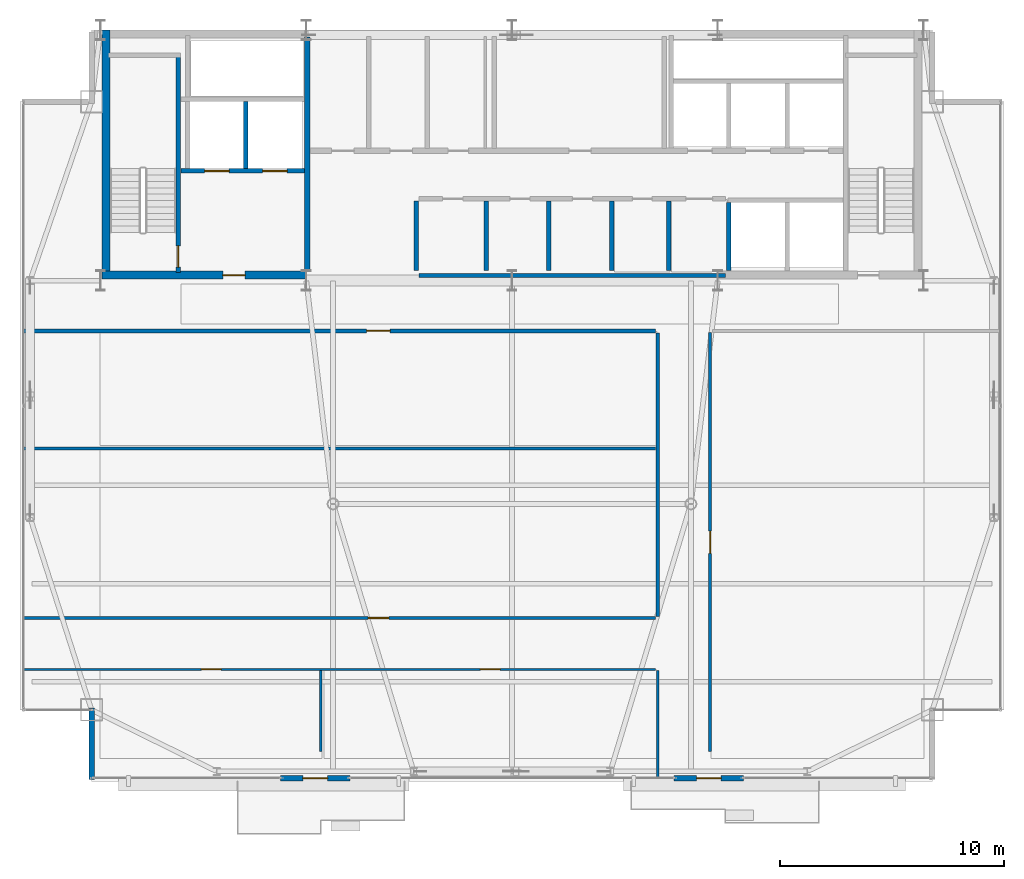
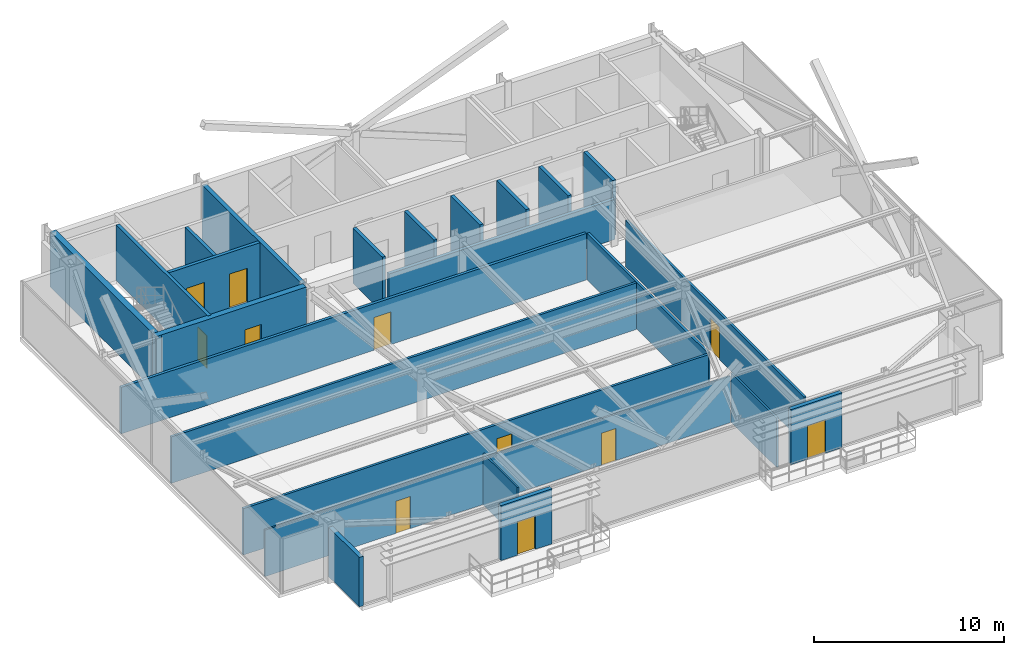
# One storey, part 21 of 25: 24 walls, 11 doors, 11 openings.
"""IFC4 building model written with IfcOpenShell, lengths in metres."""

from ifc_helpers import new_model, si_unit, direction, frame, frame_2d, origin, place, context, subcontext, project, spatial, rectangle, extrude, source, transform, mapped, material, layer, layer_set, type_object, type_shapes, element, fill, save


model = new_model("IFC4")

# Units and contexts
model_context = context("Model", 3, precision=1e-05, world=origin(), true_north=direction((0.0, 1.0)))
body_context = subcontext(model_context, "Body", "Model", "MODEL_VIEW")
ifc_project = project(units=[si_unit("LENGTHUNIT", "METRE"), si_unit("AREAUNIT", "SQUARE_METRE"), si_unit("VOLUMEUNIT", "CUBIC_METRE"), si_unit("PLANEANGLEUNIT", "RADIAN"), si_unit("MASSUNIT", "GRAM", prefix="KILO")], contexts=[model_context])

# Site, building, storey
site_placement = place(None, origin())
site = spatial("IfcSite", under=ifc_project, at=site_placement, CompositionType="ELEMENT")
building_placement = place(site_placement, origin())
building = spatial("IfcBuilding", under=site, at=building_placement, Name="Varnel Quay Broadcast Tower", CompositionType="ELEMENT")
storey_placement = place(building_placement, frame((0.0, 0.0, 288.800048828125)))
storey = spatial("IfcBuildingStorey", under=building, at=storey_placement, Name="L72", CompositionType="ELEMENT", Elevation=288.800048828125)

# Wall, opening, door
ifc_material_1 = material(Name="Concrete CSA A23.3 C50/60", Category="concrete")
ifc_layer_1 = layer(ifc_material_1, 0.199951171875, Name="Concrete CSA A23.3 C50/60")
ifc_layer_set_1 = layer_set([ifc_layer_1], Name="Concrete CSA A23.3 C50/60")
wall_type_1 = type_object("IfcWallType", Name="Wall_CoreShaftShear200", PredefinedType="SHEAR", material=ifc_layer_set_1)
wall_1_placement = place(storey_placement, frame((19.080078125, 35.949951171875, 0.0), z_axis=(0.0, 0.0, 1.0), x_axis=(0.0, 1.0, 0.0)))
wall_1 = element("IfcWall", 1, at=wall_1_placement, inside=storey, type_object=wall_type_1, Name="L72 Stair 1 East Structural Wall", PredefinedType="SHEAR", context=body_context, shape_type="SweptSolid", body=[
    extrude(rectangle(XDim=9.650146484375, YDim=0.199951171875, at=frame_2d((4.8251953125, 0.0))), origin(), (0.0, 0.0, 1.0), 3.550048828125),
])
opening_1_placement = place(wall_1_placement, frame((0.25, 0.0, 0.0)))
opening_1 = element("IfcOpeningElement", 2, at=opening_1_placement, cuts=wall_1, Name="Opening D-L72-S1", PredefinedType="OPENING", context=body_context, shape_type="SweptSolid", body=[
    extrude(rectangle(XDim=0.949951171875, YDim=2.10009765625, at=frame_2d((0.47509765625, 1.050048828125))), frame((0.0, 0.10986328125, 0.0), z_axis=(0.0, -1.0, 0.0), x_axis=(1.0, 0.0, 0.0)), (0.0, 0.0, 1.0), 0.219970703125),
])
ifc_material_2 = material(Name="Insulated Fire-Rated Hollow Steel Door", Category="steel")
door_type_1 = type_object("IfcDoorType", Name="Door_FireStair950", OperationType="NOTDEFINED", PredefinedType="DOOR", material=ifc_material_2)
shared_shape_1 = source(origin(), body_context, "Body", "SweptSolid", [
    extrude(rectangle(XDim=0.949951171875, YDim=2.10009765625, at=frame_2d((0.47509765625, 1.050048828125))), frame((0.0, 0.02490234375, 0.0), z_axis=(0.0, -1.0, 0.0), x_axis=(1.0, 0.0, 0.0)), (0.0, 0.0, 1.0), 0.050048828125),
])
type_shapes(door_type_1, [shared_shape_1])
door_1_placement = place(opening_1_placement, origin())
door_1 = element("IfcDoor", 3, at=door_1_placement, inside=storey, type_object=door_type_1, Name="L72 Stair 1 Fire Door", OperationType="SINGLE_SWING_RIGHT", OverallHeight=2.10009765625, OverallWidth=0.949951171875, PredefinedType="DOOR", context=body_context, shape_type="MappedRepresentation", body=[
    mapped(shared_shape_1, transform((0.0, 0.0, 0.0), x_axis=(1.0, 0.0, 0.0), y_axis=(0.0, 1.0, 0.0), z_axis=(0.0, 0.0, 1.0), scale=1.0)),
])
fill(opening_1, door_1)

# Wall, openings, doors
wall_2_placement = place(storey_placement, frame((19.199951171875, 40.5, 0.0), z_axis=(0.0, 0.0, 1.0), x_axis=(1.0, 0.0, 0.0)))
wall_2 = element("IfcWall", 4, at=wall_2_placement, inside=storey, type_object=wall_type_1, Name="L72 Firefighter Lift Shaft Front Wall", PredefinedType="SHEAR", context=body_context, shape_type="SweptSolid", body=[
    extrude(rectangle(XDim=5.52001953125, YDim=0.199951171875, at=frame_2d((2.760009765625, 0.0))), origin(), (0.0, 0.0, 1.0), 3.550048828125),
])
opening_2_placement = place(wall_2_placement, frame((1.050048828125, 0.0, 0.0)))
opening_2 = element("IfcOpeningElement", 5, at=opening_2_placement, cuts=wall_2, Name="Opening LD-L72-FE1", PredefinedType="OPENING", context=body_context, shape_type="SweptSolid", body=[
    extrude(rectangle(XDim=1.10009765625, YDim=2.179931640625, at=frame_2d((0.550048828125, 1.08984375))), frame((0.0, 0.10986328125, 0.0), z_axis=(0.0, -1.0, 0.0), x_axis=(1.0, 0.0, 0.0)), (0.0, 0.0, 1.0), 0.219970703125),
])
opening_3_placement = place(wall_2_placement, frame((3.64990234375, 0.0, 0.0)))
opening_3 = element("IfcOpeningElement", 6, at=opening_3_placement, cuts=wall_2, Name="Opening LD-L72-FE2", PredefinedType="OPENING", context=body_context, shape_type="SweptSolid", body=[
    extrude(rectangle(XDim=1.10009765625, YDim=2.179931640625, at=frame_2d((0.550048828125, 1.08984375))), frame((0.0, 0.10986328125, 0.0), z_axis=(0.0, -1.0, 0.0), x_axis=(1.0, 0.0, 0.0)), (0.0, 0.0, 1.0), 0.219970703125),
])
ifc_material_3 = material(Name="Brushed Bronze-Stainless Lift Car & Sliding Doors", Category="steel")
door_type_2 = type_object("IfcDoorType", Name="Door_LiftLanding1100", OperationType="SLIDING_TO_LEFT", PredefinedType="DOOR", material=ifc_material_3)
shared_shape_2 = source(origin(), body_context, "Body", "SweptSolid", [
    extrude(rectangle(XDim=1.10009765625, YDim=2.179931640625, at=frame_2d((0.550048828125, 1.08984375))), frame((0.0, 0.02490234375, 0.0), z_axis=(0.0, -1.0, 0.0), x_axis=(1.0, 0.0, 0.0)), (0.0, 0.0, 1.0), 0.050048828125),
])
type_shapes(door_type_2, [shared_shape_2])
door_2_placement = place(opening_2_placement, frame((1.10009765625, 0.0, 0.0), z_axis=(0.0, 0.0, 1.0), x_axis=(-1.0, 0.0, 0.0)))
door_2 = element("IfcDoor", 7, at=door_2_placement, inside=storey, type_object=door_type_2, Name="L72 Firefighter Lift FE-01 Landing Door", OperationType="SLIDING_TO_LEFT", OverallHeight=2.179931640625, OverallWidth=1.10009765625, PredefinedType="DOOR", context=body_context, shape_type="MappedRepresentation", body=[
    mapped(shared_shape_2, transform((0.0, 0.0, 0.0), x_axis=(1.0, 0.0, 0.0), y_axis=(0.0, 1.0, 0.0), z_axis=(0.0, 0.0, 1.0), scale=1.0)),
])
fill(opening_2, door_2)
door_3_placement = place(opening_3_placement, frame((1.10009765625, 0.0, 0.0), z_axis=(0.0, 0.0, 1.0), x_axis=(-1.0, 0.0, 0.0)))
door_3 = element("IfcDoor", 8, at=door_3_placement, inside=storey, type_object=door_type_2, Name="L72 Firefighter Lift FE-02 Landing Door", OperationType="SLIDING_TO_RIGHT", OverallHeight=2.179931640625, OverallWidth=1.10009765625, PredefinedType="DOOR", context=body_context, shape_type="MappedRepresentation", body=[
    mapped(shared_shape_2, transform((0.0, 0.0, 0.0), x_axis=(1.0, 0.0, 0.0), y_axis=(0.0, 1.0, 0.0), z_axis=(0.0, 0.0, 1.0), scale=1.0)),
])
fill(opening_3, door_3)

# Walls
wall_3_placement = place(storey_placement, frame((22.10009765625, 40.60009765625, 0.0), z_axis=(0.0, 0.0, 1.0), x_axis=(0.0, 1.0, 0.0)))
element("IfcWall", 9, at=wall_3_placement, inside=storey, type_object=wall_type_1, Name="L72 Firefighter Lift Shaft Divider", PredefinedType="SHEAR", context=body_context, shape_type="SweptSolid", body=[
    extrude(rectangle(XDim=3.0, YDim=0.199951171875, at=frame_2d((1.5, 0.0))), origin(), (0.0, 0.0, 1.0), 3.550048828125),
])
wall_4_placement = place(storey_placement, frame((43.699951171875, 36.050048828125, 0.0), z_axis=(0.0, 0.0, 1.0), x_axis=(0.0, 1.0, 0.0)))
element("IfcWall", 10, at=wall_4_placement, inside=storey, type_object=wall_type_1, Name="L72 Express Lift Shaft West Wall", PredefinedType="SHEAR", context=body_context, shape_type="SweptSolid", body=[
    extrude(rectangle(XDim=3.050048828125, YDim=0.199951171875, at=frame_2d((1.52490234375, 0.0))), origin(), (0.0, 0.0, 1.0), 3.550048828125),
])
ifc_layer_2 = layer(ifc_material_1, 0.25, Name="Concrete CSA A23.3 C50/60")
ifc_layer_set_2 = layer_set([ifc_layer_2], Name="Concrete CSA A23.3 C50/60")
wall_type_2 = type_object("IfcWallType", Name="Wall_CoreShaftShear250", PredefinedType="SHEAR", material=ifc_layer_set_2)
wall_5_placement = place(storey_placement, frame((24.85009765625, 36.050048828125, 0.0), z_axis=(0.0, 0.0, 1.0), x_axis=(0.0, 1.0, 0.0)))
element("IfcWall", 11, at=wall_5_placement, inside=storey, type_object=wall_type_2, Name="L72 Firefighting Lobby East Structural Wall", PredefinedType="SHEAR", context=body_context, shape_type="SweptSolid", body=[
    extrude(rectangle(XDim=10.449951171875, YDim=0.25, at=frame_2d((5.22509765625, 0.0))), origin(), (0.0, 0.0, 1.0), 3.550048828125),
])
ifc_layer_3 = layer(ifc_material_1, 0.35009765625, Name="Concrete CSA A23.3 C50/60")
ifc_layer_set_3 = layer_set([ifc_layer_3], Name="Concrete CSA A23.3 C50/60")
wall_type_3 = type_object("IfcWallType", Name="Wall_CoreShearInt350", PredefinedType="SHEAR", material=ifc_layer_set_3)
wall_6_placement = place(storey_placement, frame((15.844970703125, 35.669921875, 0.0), z_axis=(0.0, 0.0, 1.0), x_axis=(0.0, 1.0, 0.0)))
element("IfcWall", 12, at=wall_6_placement, inside=storey, type_object=wall_type_3, Name="L72 West Core Shear Wall", PredefinedType="SHEAR", context=body_context, shape_type="SweptSolid", body=[
    extrude(rectangle(XDim=11.130126953125, YDim=0.35009765625, at=frame_2d((5.56494140625, 0.0))), origin(), (0.0, 0.0, 1.0), 3.550048828125),
])

# Wall, opening, door
wall_7_placement = place(storey_placement, frame((15.669921875, 35.844970703125, 0.0), z_axis=(0.0, 0.0, 1.0), x_axis=(1.0, 0.0, 0.0)))
wall_7 = element("IfcWall", 13, at=wall_7_placement, inside=storey, type_object=wall_type_3, Name="L72 South-West Core Shear Wall", PredefinedType="SHEAR", context=body_context, shape_type="SweptSolid", body=[
    extrude(rectangle(XDim=9.130126953125, YDim=0.35009765625, at=frame_2d((4.56494140625, 0.0))), origin(), (0.0, 0.0, 1.0), 3.550048828125),
])
opening_4_placement = place(wall_7_placement, frame((5.39990234375, 0.0, 0.0)))
opening_4 = element("IfcOpeningElement", 14, at=opening_4_placement, cuts=wall_7, Name="Opening D-L72-FFL", PredefinedType="OPENING", context=body_context, shape_type="SweptSolid", body=[
    extrude(rectangle(XDim=1.0, YDim=2.10009765625, at=frame_2d((0.5, 1.050048828125))), frame((0.0, 0.18505859375, 0.0), z_axis=(0.0, -1.0, 0.0), x_axis=(1.0, 0.0, 0.0)), (0.0, 0.0, 1.0), 0.3701171875),
])
door_type_3 = type_object("IfcDoorType", Name="Door_FireLobby1000", OperationType="NOTDEFINED", PredefinedType="DOOR", material=ifc_material_2)
shared_shape_3 = source(origin(), body_context, "Body", "SweptSolid", [
    extrude(rectangle(XDim=1.0, YDim=2.10009765625, at=frame_2d((0.5, 1.050048828125))), frame((0.0, 0.02490234375, 0.0), z_axis=(0.0, -1.0, 0.0), x_axis=(1.0, 0.0, 0.0)), (0.0, 0.0, 1.0), 0.050048828125),
])
type_shapes(door_type_3, [shared_shape_3])
door_4_placement = place(opening_4_placement, origin())
door_4 = element("IfcDoor", 15, at=door_4_placement, inside=storey, type_object=door_type_3, Name="L72 Firefighting Lobby Door", OperationType="SINGLE_SWING_LEFT", OverallHeight=2.10009765625, OverallWidth=1.0, PredefinedType="DOOR", context=body_context, shape_type="MappedRepresentation", body=[
    mapped(shared_shape_3, transform((0.0, 0.0, 0.0), x_axis=(1.0, 0.0, 0.0), y_axis=(0.0, 1.0, 0.0), z_axis=(0.0, 0.0, 1.0), scale=1.0)),
])
fill(opening_4, door_4)

ifc_material_4 = material(Name="Precast Architectural Concrete C40/50", Category="concrete")
ifc_layer_4 = layer(ifc_material_4, 0.25, Name="Precast Architectural Concrete C40/50")
ifc_layer_set_4 = layer_set([ifc_layer_4], Name="Precast Architectural Concrete C40/50")
wall_type_4 = type_object("IfcWallType", Name="Wall_ExtTerrace250", PredefinedType="SOLIDWALL", material=ifc_layer_set_4)
wall_8_placement = place(storey_placement, frame((23.64990234375, 13.35009765625, 0.0), z_axis=(0.0, 0.0, 1.0), x_axis=(1.0, 0.0, 0.0)))
wall_8 = element("IfcWall", 16, at=wall_8_placement, inside=storey, type_object=wall_type_4, Name="L72 Terrace Access Wall 1", PredefinedType="SOLIDWALL", context=body_context, shape_type="SweptSolid", body=[
    extrude(rectangle(XDim=3.10009765625, YDim=0.25, at=frame_2d((1.550048828125, 0.0))), origin(), (0.0, 0.0, 1.0), 3.530029296875),
])
opening_5_placement = place(wall_8_placement, frame((1.0, 0.0, 0.0)))
opening_5 = element("IfcOpeningElement", 17, at=opening_5_placement, cuts=wall_8, Name="Opening TD-721", PredefinedType="OPENING", context=body_context, shape_type="SweptSolid", body=[
    extrude(rectangle(XDim=1.10009765625, YDim=2.14990234375, at=frame_2d((0.550048828125, 1.074951171875))), frame((0.0, 0.135009765625, 0.0), z_axis=(0.0, -1.0, 0.0), x_axis=(1.0, 0.0, 0.0)), (0.0, 0.0, 1.0), 0.27001953125),
])
ifc_material_5 = material(Name="Anodised Bronze Aluminium 6063-T6", Category="aluminium")
door_type_4 = type_object("IfcDoorType", Name="Door_ExtTerrace1100", OperationType="NOTDEFINED", PredefinedType="DOOR", material=ifc_material_5)
shared_shape_4 = source(origin(), body_context, "Body", "SweptSolid", [
    extrude(rectangle(XDim=1.10009765625, YDim=2.14990234375, at=frame_2d((0.550048828125, 1.074951171875))), frame((0.0, 0.02490234375, 0.0), z_axis=(0.0, -1.0, 0.0), x_axis=(1.0, 0.0, 0.0)), (0.0, 0.0, 1.0), 0.050048828125),
])
type_shapes(door_type_4, [shared_shape_4])
door_5_placement = place(opening_5_placement, frame((1.10009765625, 0.0, 0.0), z_axis=(0.0, 0.0, 1.0), x_axis=(-1.0, 0.0, 0.0)))
door_5 = element("IfcDoor", 18, at=door_5_placement, inside=storey, type_object=door_type_4, Name="L72 Terrace Door TD-721", OperationType="SINGLE_SWING_LEFT", OverallHeight=2.14990234375, OverallWidth=1.10009765625, PredefinedType="DOOR", context=body_context, shape_type="MappedRepresentation", body=[
    mapped(shared_shape_4, transform((0.0, 0.0, 0.0), x_axis=(1.0, 0.0, 0.0), y_axis=(0.0, 1.0, 0.0), z_axis=(0.0, 0.0, 1.0), scale=1.0)),
])
fill(opening_5, door_5)

wall_9_placement = place(storey_placement, frame((41.25, 13.35009765625, 0.0), z_axis=(0.0, 0.0, 1.0), x_axis=(1.0, 0.0, 0.0)))
wall_9 = element("IfcWall", 19, at=wall_9_placement, inside=storey, type_object=wall_type_4, Name="L72 Terrace Access Wall 2", PredefinedType="SOLIDWALL", context=body_context, shape_type="SweptSolid", body=[
    extrude(rectangle(XDim=3.10009765625, YDim=0.25, at=frame_2d((1.550048828125, 0.0))), origin(), (0.0, 0.0, 1.0), 3.530029296875),
])
opening_6_placement = place(wall_9_placement, frame((1.0, 0.0, 0.0)))
opening_6 = element("IfcOpeningElement", 20, at=opening_6_placement, cuts=wall_9, Name="Opening TD-722", PredefinedType="OPENING", context=body_context, shape_type="SweptSolid", body=[
    extrude(rectangle(XDim=1.10009765625, YDim=2.14990234375, at=frame_2d((0.550048828125, 1.074951171875))), frame((0.0, 0.135009765625, 0.0), z_axis=(0.0, -1.0, 0.0), x_axis=(1.0, 0.0, 0.0)), (0.0, 0.0, 1.0), 0.27001953125),
])
door_6_placement = place(opening_6_placement, frame((1.10009765625, 0.0, 0.0), z_axis=(0.0, 0.0, 1.0), x_axis=(-1.0, 0.0, 0.0)))
door_6 = element("IfcDoor", 21, at=door_6_placement, inside=storey, type_object=door_type_4, Name="L72 Terrace Door TD-722", OperationType="SINGLE_SWING_RIGHT", OverallHeight=2.14990234375, OverallWidth=1.10009765625, PredefinedType="DOOR", context=body_context, shape_type="MappedRepresentation", body=[
    mapped(shared_shape_4, transform((0.0, 0.0, 0.0), x_axis=(1.0, 0.0, 0.0), y_axis=(0.0, 1.0, 0.0), z_axis=(0.0, 0.0, 1.0), scale=1.0)),
])
fill(opening_6, door_6)

# Walls
wall_10_placement = place(storey_placement, frame((15.199951171875, 13.280029296875, 0.0), z_axis=(0.0, 0.0, 1.0), x_axis=(0.0, 1.0, 0.0)))
element("IfcWall", 22, at=wall_10_placement, inside=storey, type_object=wall_type_4, Name="L72 Mega-Column Notch Cladding Wall NSW2", PredefinedType="SOLIDWALL", context=body_context, shape_type="SweptSolid", body=[
    extrude(rectangle(XDim=3.199951171875, YDim=0.25, at=frame_2d((1.60009765625, 0.0))), origin(), (0.0, 0.0, 1.0), 3.1708984375),
])
ifc_material_6 = material(Name="Concrete Blockwork Fire Enclosure C40/50", Category="masonry")
ifc_layer_5 = layer(ifc_material_6, 0.199951171875, Name="Concrete Blockwork Fire Enclosure C40/50")
ifc_layer_set_5 = layer_set([ifc_layer_5], Name="Concrete Blockwork Fire Enclosure C40/50")
wall_type_5 = type_object("IfcWallType", Name="Wall_FireShaft200", PredefinedType="SOLIDWALL", material=ifc_layer_set_5)
wall_11_placement = place(storey_placement, frame((29.85009765625, 35.824951171875, 0.0), z_axis=(0.0, 0.0, 1.0), x_axis=(1.0, 0.0, 0.0)))
element("IfcWall", 23, at=wall_11_placement, inside=storey, type_object=wall_type_5, Name="L72 Accessible Washroom Partition 1", PredefinedType="SOLIDWALL", context=body_context, shape_type="SweptSolid", body=[
    extrude(rectangle(XDim=13.699951171875, YDim=0.199951171875, at=frame_2d((6.85009765625, 0.0))), origin(), (0.0, 0.0, 1.0), 2.574951171875),
])
wall_12_placement = place(storey_placement, frame((41.0, 36.050048828125, 0.0), z_axis=(0.0, 0.0, 1.0), x_axis=(0.0, 1.0, 0.0)))
element("IfcWall", 24, at=wall_12_placement, inside=storey, type_object=wall_type_5, Name="L72 Cleaners' & Linen Store Partition 7", PredefinedType="SOLIDWALL", context=body_context, shape_type="SweptSolid", body=[
    extrude(rectangle(XDim=3.099853515625, YDim=0.199951171875, at=frame_2d((1.5498046875, 0.0))), origin(), (0.0, 0.0, 1.0), 3.530029296875),
])
ifc_material_7 = material(Name="Steel-Stud Fire-Rated Acoustic Gypsum Partition Assembly", Category="steel")
ifc_layer_6 = layer(ifc_material_7, 0.10498046875, Name="Steel-Stud Fire-Rated Acoustic Gypsum Partition Assembly")
ifc_layer_set_6 = layer_set([ifc_layer_6], Name="Steel-Stud Fire-Rated Acoustic Gypsum Partition Assembly")
wall_type_6 = type_object("IfcWallType", Name="Wall_Partition105", PredefinedType="PARTITIONING", material=ifc_layer_set_6)
wall_13_placement = place(storey_placement, frame((25.449951171875, 14.550048828125, 0.0), z_axis=(0.0, 0.0, 1.0), x_axis=(0.0, 1.0, 0.0)))
element("IfcWall", 25, at=wall_13_placement, inside=storey, type_object=wall_type_6, Name="L72 Lens & Rigging Store 1 Partition 8", PredefinedType="PARTITIONING", context=body_context, shape_type="SweptSolid", body=[
    extrude(rectangle(XDim=3.60791015625, YDim=0.10498046875, at=frame_2d((1.803955078125, 0.0))), origin(), (0.0, 0.0, 1.0), 3.27783203125),
])

# Wall, openings, doors
wall_14_placement = place(storey_placement, frame((12.179931640625, 18.2099609375, 0.0), z_axis=(0.0, 0.0, 1.0), x_axis=(1.0, 0.0, 0.0)))
wall_14 = element("IfcWall", 26, at=wall_14_placement, inside=storey, type_object=wall_type_6, Name="L72 Lens & Rigging Store 1 Partition 9", PredefinedType="PARTITIONING", context=body_context, shape_type="SweptSolid", body=[
    extrude(rectangle(XDim=28.22998046875, YDim=0.10498046875, at=frame_2d((14.114990234375, 0.0))), origin(), (0.0, 0.0, 1.0), 2.98095703125),
])
opening_7_placement = place(wall_14_placement, frame((7.929931640625, 0.0, 0.0)))
opening_7 = element("IfcOpeningElement", 27, at=opening_7_placement, cuts=wall_14, Name="Opening D-L72-06", PredefinedType="OPENING", context=body_context, shape_type="SweptSolid", body=[
    extrude(rectangle(XDim=0.8798828125, YDim=2.06005859375, at=frame_2d((0.43994140625, 1.030029296875))), frame((0.0, 0.0625, 0.0), z_axis=(0.0, -1.0, 0.0), x_axis=(1.0, 0.0, 0.0)), (0.0, 0.0, 1.0), 0.125),
])
opening_8_placement = place(wall_14_placement, frame((20.409912109375, 0.0, 0.0)))
opening_8 = element("IfcOpeningElement", 28, at=opening_8_placement, cuts=wall_14, Name="Opening D-L72-07", PredefinedType="OPENING", context=body_context, shape_type="SweptSolid", body=[
    extrude(rectangle(XDim=0.8798828125, YDim=2.06005859375, at=frame_2d((0.43994140625, 1.030029296875))), frame((0.0, 0.0625, 0.0), z_axis=(0.0, -1.0, 0.0), x_axis=(1.0, 0.0, 0.0)), (0.0, 0.0, 1.0), 0.125),
])
ifc_material_8 = material(Name="Solid-Core Fire-Rated Acoustic Oak Veneer Door", Category="wood")
door_type_5 = type_object("IfcDoorType", Name="Door_Booth880", OperationType="NOTDEFINED", PredefinedType="DOOR", material=ifc_material_8)
shared_shape_5 = source(origin(), body_context, "Body", "SweptSolid", [
    extrude(rectangle(XDim=0.8798828125, YDim=2.06005859375, at=frame_2d((0.43994140625, 1.030029296875))), frame((0.0, 0.02490234375, 0.0), z_axis=(0.0, -1.0, 0.0), x_axis=(1.0, 0.0, 0.0)), (0.0, 0.0, 1.0), 0.050048828125),
])
type_shapes(door_type_5, [shared_shape_5])
door_7_placement = place(opening_7_placement, frame((0.8798828125, 0.0, 0.0), z_axis=(0.0, 0.0, 1.0), x_axis=(-1.0, 0.0, 0.0)))
door_7 = element("IfcDoor", 29, at=door_7_placement, inside=storey, type_object=door_type_5, Name="L72 Lens & Rigging Store 1 Door D-L72-06", OperationType="SINGLE_SWING_RIGHT", OverallHeight=2.06005859375, OverallWidth=0.8798828125, PredefinedType="DOOR", context=body_context, shape_type="MappedRepresentation", body=[
    mapped(shared_shape_5, transform((0.0, 0.0, 0.0), x_axis=(1.0, 0.0, 0.0), y_axis=(0.0, 1.0, 0.0), z_axis=(0.0, 0.0, 1.0), scale=1.0)),
])
fill(opening_7, door_7)
door_8_placement = place(opening_8_placement, frame((0.8798828125, 0.0, 0.0), z_axis=(0.0, 0.0, 1.0), x_axis=(-1.0, 0.0, 0.0)))
door_8 = element("IfcDoor", 30, at=door_8_placement, inside=storey, type_object=door_type_5, Name="L72 Ingest Vault Store 2 Door D-L72-07", OperationType="SINGLE_SWING_LEFT", OverallHeight=2.06005859375, OverallWidth=0.8798828125, PredefinedType="DOOR", context=body_context, shape_type="MappedRepresentation", body=[
    mapped(shared_shape_5, transform((0.0, 0.0, 0.0), x_axis=(1.0, 0.0, 0.0), y_axis=(0.0, 1.0, 0.0), z_axis=(0.0, 0.0, 1.0), scale=1.0)),
])
fill(opening_8, door_8)

# Wall
wall_15_placement = place(storey_placement, frame((40.510009765625, 13.3798828125, 0.0), z_axis=(0.0, 0.0, 1.0), x_axis=(0.0, 1.0, 0.0)))
element("IfcWall", 31, at=wall_15_placement, inside=storey, type_object=wall_type_6, Name="L72 Ingest Vault Store 2 Partition 10", PredefinedType="PARTITIONING", context=body_context, shape_type="SweptSolid", body=[
    extrude(rectangle(XDim=4.778076171875, YDim=0.10498046875, at=frame_2d((2.38916015625, 0.0))), origin(), (0.0, 0.0, 1.0), 3.1708984375),
])

# Wall, opening, door
ifc_layer_7 = layer(ifc_material_7, 0.139892578125, Name="Steel-Stud Fire-Rated Acoustic Gypsum Partition Assembly")
ifc_layer_set_7 = layer_set([ifc_layer_7], Name="Steel-Stud Fire-Rated Acoustic Gypsum Partition Assembly")
wall_type_7 = type_object("IfcWallType", Name="Wall_Partition140", PredefinedType="PARTITIONING", material=ifc_layer_set_7)
wall_16_placement = place(storey_placement, frame((42.860107421875, 14.550048828125, 0.0), z_axis=(0.0, 0.0, 1.0), x_axis=(0.0, 1.0, 0.0)))
wall_16 = element("IfcWall", 32, at=wall_16_placement, inside=storey, type_object=wall_type_7, Name="L72 Producer Lounge 5 Partition 16", PredefinedType="PARTITIONING", context=body_context, shape_type="SweptSolid", body=[
    extrude(rectangle(XDim=18.72998046875, YDim=0.139892578125, at=frame_2d((9.364990234375, 0.0))), origin(), (0.0, 0.0, 1.0), 2.98095703125),
])
opening_9_placement = place(wall_16_placement, frame((8.85009765625, 0.0, 0.0)))
opening_9 = element("IfcOpeningElement", 33, at=opening_9_placement, cuts=wall_16, Name="Opening D-L72-10", PredefinedType="OPENING", context=body_context, shape_type="SweptSolid", body=[
    extrude(rectangle(XDim=1.0, YDim=2.10009765625, at=frame_2d((0.5, 1.050048828125))), frame((0.0, 0.080078125, 0.0), z_axis=(0.0, -1.0, 0.0), x_axis=(1.0, 0.0, 0.0)), (0.0, 0.0, 1.0), 0.159912109375),
])
door_type_6 = type_object("IfcDoorType", Name="Door_Exec1000", OperationType="NOTDEFINED", PredefinedType="DOOR", material=ifc_material_8)
shared_shape_6 = source(origin(), body_context, "Body", "SweptSolid", [
    extrude(rectangle(XDim=1.0, YDim=2.10009765625, at=frame_2d((0.5, 1.050048828125))), frame((0.0, 0.02490234375, 0.0), z_axis=(0.0, -1.0, 0.0), x_axis=(1.0, 0.0, 0.0)), (0.0, 0.0, 1.0), 0.050048828125),
])
type_shapes(door_type_6, [shared_shape_6])
door_9_placement = place(opening_9_placement, frame((1.0, 0.0, 0.0), z_axis=(0.0, 0.0, 1.0), x_axis=(-1.0, 0.0, 0.0)))
door_9 = element("IfcDoor", 34, at=door_9_placement, inside=storey, type_object=door_type_6, Name="L72 Producer Lounge 5 Door D-L72-10", OperationType="SINGLE_SWING_RIGHT", OverallHeight=2.10009765625, OverallWidth=1.0, PredefinedType="DOOR", context=body_context, shape_type="MappedRepresentation", body=[
    mapped(shared_shape_6, transform((0.0, 0.0, 0.0), x_axis=(1.0, 0.0, 0.0), y_axis=(0.0, 1.0, 0.0), z_axis=(0.0, 0.0, 1.0), scale=1.0)),
])
fill(opening_9, door_9)

ifc_layer_8 = layer(ifc_material_7, 0.14990234375, Name="Steel-Stud Fire-Rated Acoustic Gypsum Partition Assembly")
ifc_layer_set_8 = layer_set([ifc_layer_8], Name="Steel-Stud Fire-Rated Acoustic Gypsum Partition Assembly")
wall_type_8 = type_object("IfcWallType", Name="Wall_Partition150", PredefinedType="PARTITIONING", material=ifc_layer_set_8)
wall_17_placement = place(storey_placement, frame((12.179931640625, 20.510009765625, 0.0), z_axis=(0.0, 0.0, 1.0), x_axis=(1.0, 0.0, 0.0)))
wall_17 = element("IfcWall", 35, at=wall_17_placement, inside=storey, type_object=wall_type_8, Name="L72 Color Timing Suite 3 Partition 11", PredefinedType="PARTITIONING", context=body_context, shape_type="SweptSolid", body=[
    extrude(rectangle(XDim=28.22998046875, YDim=0.14990234375, at=frame_2d((14.114990234375, 0.0))), origin(), (0.0, 0.0, 1.0), 2.98095703125),
])
opening_10_placement = place(wall_17_placement, frame((15.389892578125, 0.0, 0.0)))
opening_10 = element("IfcOpeningElement", 36, at=opening_10_placement, cuts=wall_17, Name="Opening D-L72-08", PredefinedType="OPENING", context=body_context, shape_type="SweptSolid", body=[
    extrude(rectangle(XDim=0.919921875, YDim=2.080078125, at=frame_2d((0.4599609375, 1.0400390625))), frame((0.0, 0.0849609375, 0.0), z_axis=(0.0, -1.0, 0.0), x_axis=(1.0, 0.0, 0.0)), (0.0, 0.0, 1.0), 0.169921875),
])
door_type_7 = type_object("IfcDoorType", Name="Door_Office920", OperationType="NOTDEFINED", PredefinedType="DOOR", material=ifc_material_8)
shared_shape_7 = source(origin(), body_context, "Body", "SweptSolid", [
    extrude(rectangle(XDim=0.919921875, YDim=2.080078125, at=frame_2d((0.4599609375, 1.0400390625))), frame((0.0, 0.02490234375, 0.0), z_axis=(0.0, -1.0, 0.0), x_axis=(1.0, 0.0, 0.0)), (0.0, 0.0, 1.0), 0.050048828125),
])
type_shapes(door_type_7, [shared_shape_7])
door_10_placement = place(opening_10_placement, origin())
door_10 = element("IfcDoor", 37, at=door_10_placement, inside=storey, type_object=door_type_7, Name="L72 Color Timing Suite 3 Door D-L72-08", OperationType="SINGLE_SWING_RIGHT", OverallHeight=2.080078125, OverallWidth=0.919921875, PredefinedType="DOOR", context=body_context, shape_type="MappedRepresentation", body=[
    mapped(shared_shape_7, transform((0.0, 0.0, 0.0), x_axis=(1.0, 0.0, 0.0), y_axis=(0.0, 1.0, 0.0), z_axis=(0.0, 0.0, 1.0), scale=1.0)),
])
fill(opening_10, door_10)

# Walls
wall_18_placement = place(storey_placement, frame((40.510009765625, 20.5849609375, 0.0), z_axis=(0.0, 0.0, 1.0), x_axis=(0.0, 1.0, 0.0)))
element("IfcWall", 38, at=wall_18_placement, inside=storey, type_object=wall_type_8, Name="L72 Color Timing Suite 3 Partition 12", PredefinedType="PARTITIONING", context=body_context, shape_type="SweptSolid", body=[
    extrude(rectangle(XDim=12.677978515625, YDim=0.14990234375, at=frame_2d((6.3388671875, 0.0))), origin(), (0.0, 0.0, 1.0), 2.98095703125),
])
wall_19_placement = place(storey_placement, frame((12.179931640625, 28.090087890625, 0.0), z_axis=(0.0, 0.0, 1.0), x_axis=(1.0, 0.0, 0.0)))
element("IfcWall", 39, at=wall_19_placement, inside=storey, type_object=wall_type_8, Name="L72 Color Timing Suite 3 Partition 13", PredefinedType="PARTITIONING", context=body_context, shape_type="SweptSolid", body=[
    extrude(rectangle(XDim=28.22998046875, YDim=0.14990234375, at=frame_2d((14.114990234375, 0.0))), origin(), (0.0, 0.0, 1.0), 2.98095703125),
])

# Wall, opening, door
ifc_layer_9 = layer(ifc_material_7, 0.175048828125, Name="Steel-Stud Fire-Rated Acoustic Gypsum Partition Assembly")
ifc_layer_set_9 = layer_set([ifc_layer_9], Name="Steel-Stud Fire-Rated Acoustic Gypsum Partition Assembly")
wall_type_9 = type_object("IfcWallType", Name="Wall_Partition175", PredefinedType="PARTITIONING", material=ifc_layer_set_9)
wall_20_placement = place(storey_placement, frame((12.179931640625, 33.35009765625, 0.0), z_axis=(0.0, 0.0, 1.0), x_axis=(1.0, 0.0, 0.0)))
wall_20 = element("IfcWall", 40, at=wall_20_placement, inside=storey, type_object=wall_type_9, Name="L72 Screening Meeting Room 4 Partition 14", PredefinedType="PARTITIONING", context=body_context, shape_type="SweptSolid", body=[
    extrude(rectangle(XDim=28.22998046875, YDim=0.175048828125, at=frame_2d((14.114990234375, 0.0))), origin(), (0.0, 0.0, 1.0), 2.98095703125),
])
opening_11_placement = place(wall_20_placement, frame((15.324951171875, 0.0, 0.0)))
opening_11 = element("IfcOpeningElement", 41, at=opening_11_placement, cuts=wall_20, Name="Opening D-L72-09", PredefinedType="OPENING", context=body_context, shape_type="SweptSolid", body=[
    extrude(rectangle(XDim=1.050048828125, YDim=2.10009765625, at=frame_2d((0.52490234375, 1.050048828125))), frame((0.0, 0.09765625, 0.0), z_axis=(0.0, -1.0, 0.0), x_axis=(1.0, 0.0, 0.0)), (0.0, 0.0, 1.0), 0.195068359375),
])
door_type_8 = type_object("IfcDoorType", Name="Door_Meeting1050", OperationType="NOTDEFINED", PredefinedType="DOOR", material=ifc_material_8)
shared_shape_8 = source(origin(), body_context, "Body", "SweptSolid", [
    extrude(rectangle(XDim=1.050048828125, YDim=2.10009765625, at=frame_2d((0.52490234375, 1.050048828125))), frame((0.0, 0.02490234375, 0.0), z_axis=(0.0, -1.0, 0.0), x_axis=(1.0, 0.0, 0.0)), (0.0, 0.0, 1.0), 0.050048828125),
])
type_shapes(door_type_8, [shared_shape_8])
door_11_placement = place(opening_11_placement, frame((1.050048828125, 0.0, 0.0), z_axis=(0.0, 0.0, 1.0), x_axis=(-1.0, 0.0, 0.0)))
door_11 = element("IfcDoor", 42, at=door_11_placement, inside=storey, type_object=door_type_8, Name="L72 Screening Meeting Room 4 Door D-L72-09", OperationType="SINGLE_SWING_LEFT", OverallHeight=2.10009765625, OverallWidth=1.050048828125, PredefinedType="DOOR", context=body_context, shape_type="MappedRepresentation", body=[
    mapped(shared_shape_8, transform((0.0, 0.0, 0.0), x_axis=(1.0, 0.0, 0.0), y_axis=(0.0, 1.0, 0.0), z_axis=(0.0, 0.0, 1.0), scale=1.0)),
])
fill(opening_11, door_11)

# Walls
ifc_material_9 = material(Name="Fire-Rated Moisture-Resistant Plumbing Chase Partition")
ifc_layer_10 = layer(ifc_material_9, 0.199951171875, Name="Fire-Rated Moisture-Resistant Plumbing Chase Partition")
ifc_layer_set_10 = layer_set([ifc_layer_10], Name="Fire-Rated Moisture-Resistant Plumbing Chase Partition")
wall_type_10 = type_object("IfcWallType", Name="Wall_Plumbing200", PredefinedType="PLUMBINGWALL", material=ifc_layer_set_10)
for number, where, z_axis, x_axis, name in (
    (43, (32.85009765625, 36.050048828125, 0.0), (0.0, 0.0, 1.0), (0.0, 1.0, 0.0), "L72 Accessible Washroom Partition 2"),
    (44, (29.72509765625, 36.050048828125, 0.0), (0.0, 0.0, 1.0), (0.0, 1.0, 0.0), "L72 Accessible Washroom Partition 4"),
    (45, (35.64990234375, 36.050048828125, 0.0), (0.0, 0.0, 1.0), (0.0, 1.0, 0.0), "L72 West Gender-Neutral Washroom Partition 5"),
    (46, (38.449951171875, 36.050048828125, 0.0), (0.0, 0.0, 1.0), (0.0, 1.0, 0.0), "L72 East Staff Washroom Partition 6"),
):
    element("IfcWall", number, at=place(storey_placement, frame(where, z_axis=z_axis, x_axis=x_axis)), inside=storey, type_object=wall_type_10, Name=name, PredefinedType="PLUMBINGWALL", context=body_context, shape_type="SweptSolid", body=[
        extrude(rectangle(XDim=3.099853515625, YDim=0.199951171875, at=frame_2d((1.5498046875, 0.0))), origin(), (0.0, 0.0, 1.0), 3.530029296875),
    ])

save(model, "model.ifc")
